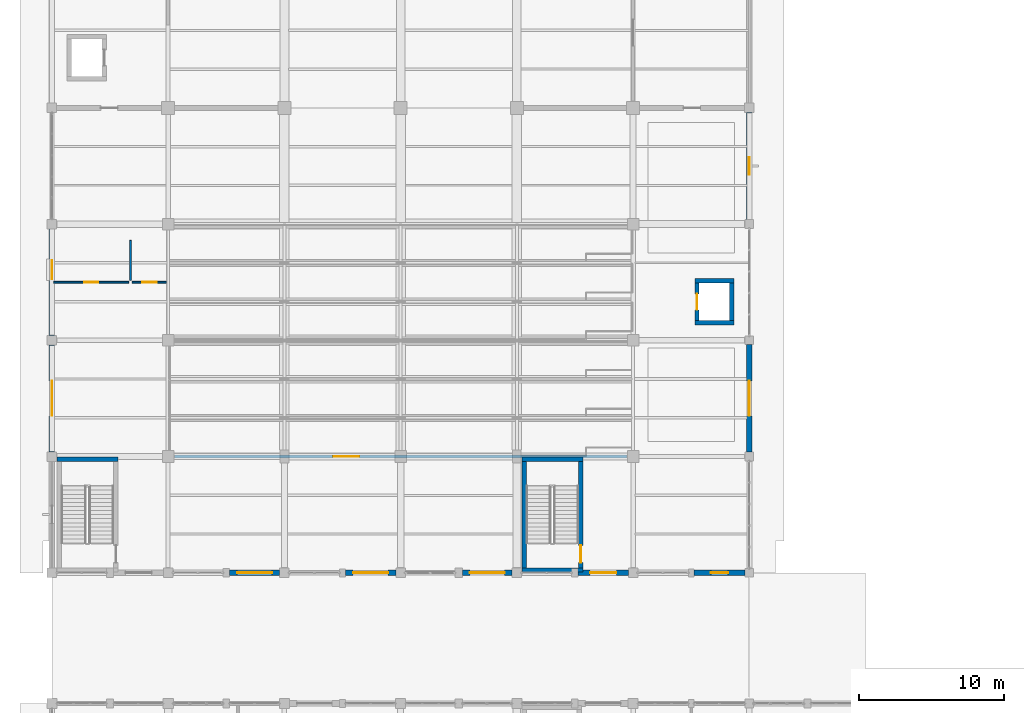
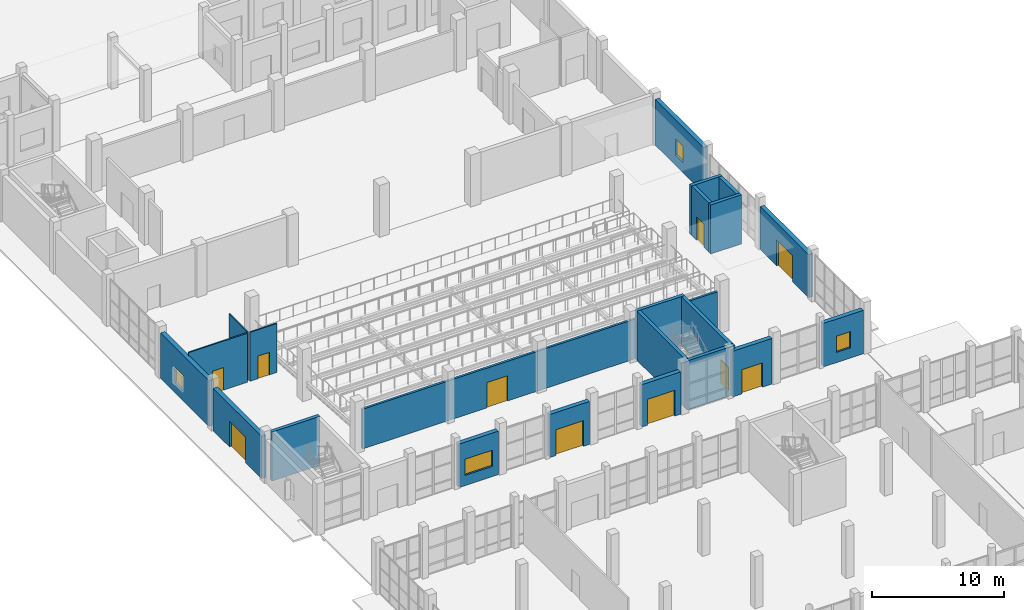
# One storey, part 121 of 156: 22 walls, 10 doors, 4 windows, 14 openings.
"""IFC4 building model written with IfcOpenShell, lengths in metres."""

from ifc_helpers import new_model, si_unit, direction, frame, frame_2d, origin, place, context, subcontext, project, spatial, rectangle, extrude, material, layer, layer_set, type_object, element, fill, save


model = new_model("IFC4")

# Units and contexts
model_context = context("Model", 3, precision=1e-05, world=origin(), true_north=direction((0.0, 1.0)))
body_context = subcontext(model_context, "Body", "Model", "MODEL_VIEW")
ifc_project = project(units=[si_unit("LENGTHUNIT", "METRE"), si_unit("AREAUNIT", "SQUARE_METRE"), si_unit("VOLUMEUNIT", "CUBIC_METRE"), si_unit("PLANEANGLEUNIT", "RADIAN"), si_unit("MASSUNIT", "GRAM", prefix="KILO")], contexts=[model_context])

# Site, building, storey
site_placement = place(None, origin())
site = spatial("IfcSite", under=ifc_project, at=site_placement, CompositionType="ELEMENT")
building_placement = place(site_placement, origin())
building = spatial("IfcBuilding", under=site, at=building_placement, Name="Luwemba Playhouse", CompositionType="ELEMENT")
storey_placement = place(building_placement, origin())
storey = spatial("IfcBuildingStorey", under=building, at=storey_placement, Name="L00", CompositionType="ELEMENT", Elevation=0.0)

# Wall, opening, door
ifc_material_1 = material(Name="Clay facing brick obra vista masonry", Category="masonry")
ifc_layer_1 = layer(ifc_material_1, 0.3798828125)
ifc_layer_set_1 = layer_set([ifc_layer_1], Name="Clay facing brick obra vista masonry")
wall_type_1 = type_object("IfcWallType", Name="WAL-BRK-380", PredefinedType="SOLIDWALL", material=ifc_layer_set_1)
wall_1_placement = place(storey_placement, frame((4.0, 44.324951171875, 0.0), z_axis=(0.0, 0.0, 1.0), x_axis=(0.0, 1.0, 0.0)))
wall_1 = element("IfcWall", 1, at=wall_1_placement, inside=storey, type_object=wall_type_1, Name="L00 V1 exterior facade wall 0004", PredefinedType="SOLIDWALL", context=body_context, shape_type="SweptSolid", body=[
    extrude(rectangle(XDim=7.35009765625, YDim=0.3798828125, at=frame_2d((3.675048828125, 0.0))), origin(), (0.0, 0.0, 1.0), 3.93505859375),
])
opening_1_placement = place(wall_1_placement, frame((2.47509765625, 0.0, 0.0)))
opening_1 = element("IfcOpeningElement", 2, at=opening_1_placement, cuts=wall_1, Name="Opening E28", PredefinedType="OPENING", context=body_context, shape_type="SweptSolid", body=[
    extrude(rectangle(XDim=2.39990234375, YDim=2.39990234375, at=frame_2d((1.199951171875, 1.199951171875))), frame((0.0, 0.199951171875, 0.0), z_axis=(0.0, -1.0, 0.0), x_axis=(1.0, 0.0, 0.0)), (0.0, 0.0, 1.0), 0.39990234375),
])
ifc_material_2 = material(Name="Architectural bronze-anodised aluminium and glazed leaf", Category="aluminium")
door_type_1 = type_object("IfcDoorType", Name="DR-EXIT-240", OperationType="NOTDEFINED", PredefinedType="DOOR", material=ifc_material_2)
door_1_placement = place(opening_1_placement, origin())
door_1 = element("IfcDoor", 3, at=door_1_placement, inside=storey, type_object=door_type_1, Name="Main Theatre west boulevard final exit E28", OperationType="DOUBLE_DOOR_SINGLE_SWING", OverallHeight=2.39990234375, OverallWidth=2.39990234375, PredefinedType="DOOR", context=body_context, shape_type="SweptSolid", body=[
    extrude(rectangle(XDim=2.39990234375, YDim=2.39990234375, at=frame_2d((1.199951171875, 1.199951171875))), frame((0.0, 0.02490234375, 0.0), z_axis=(0.0, -1.0, 0.0), x_axis=(1.0, 0.0, 0.0)), (0.0, 0.0, 1.0), 0.050048828125),
])
fill(opening_1, door_1)

# Wall, opening, window
wall_2_placement = place(storey_placement, frame((4.0, 52.324951171875, 0.0), z_axis=(0.0, 0.0, 1.0), x_axis=(0.0, 1.0, 0.0)))
wall_2 = element("IfcWall", 4, at=wall_2_placement, inside=storey, type_object=wall_type_1, Name="L00 V1 exterior facade wall 0005", PredefinedType="SOLIDWALL", context=body_context, shape_type="SweptSolid", body=[
    extrude(rectangle(XDim=7.35009765625, YDim=0.3798828125, at=frame_2d((3.675048828125, 0.0))), origin(), (0.0, 0.0, 1.0), 4.235107421875),
])
opening_2_placement = place(wall_2_placement, frame((3.885009765625, 0.0, 0.949951171875)))
opening_2 = element("IfcOpeningElement", 5, at=opening_2_placement, cuts=wall_2, Name="Opening WN-14", PredefinedType="OPENING", context=body_context, shape_type="SweptSolid", body=[
    extrude(rectangle(XDim=1.300048828125, YDim=1.39990234375, at=frame_2d((0.64990234375, 0.699951171875))), frame((0.0, 0.199951171875, 0.0), z_axis=(0.0, -1.0, 0.0), x_axis=(1.0, 0.0, 0.0)), (0.0, 0.0, 1.0), 0.39990234375),
])
ifc_material_3 = material(Name="Solar-control double glazing in aluminium frame", Category="aluminium")
window_type_1 = type_object("IfcWindowType", Name="WIN-WN-14", PartitioningType="SINGLE_PANEL", PredefinedType="WINDOW", material=ifc_material_3)
window_1_placement = place(opening_2_placement, origin())
window_1 = element("IfcWindow", 6, at=window_1_placement, inside=storey, type_object=window_type_1, Name="L00 V1 scheduled window 0002", OverallHeight=1.39990234375, OverallWidth=1.300048828125, PartitioningType="SINGLE_PANEL", PredefinedType="WINDOW", context=body_context, shape_type="SweptSolid", body=[
    extrude(rectangle(XDim=1.300048828125, YDim=1.39990234375, at=frame_2d((0.64990234375, 0.699951171875))), frame((0.0, 0.030029296875, 0.0), z_axis=(0.0, -1.0, 0.0), x_axis=(1.0, 0.0, 0.0)), (0.0, 0.0, 1.0), 0.06005859375),
])
fill(opening_2, window_1)

wall_3_placement = place(storey_placement, frame((52.0, 67.675048828125, 0.0), z_axis=(0.0, 0.0, 1.0), x_axis=(0.0, -1.0, 0.0)))
wall_3 = element("IfcWall", 7, at=wall_3_placement, inside=storey, type_object=wall_type_1, Name="L00 V1 exterior facade wall 0006", PredefinedType="SOLIDWALL", context=body_context, shape_type="SweptSolid", body=[
    extrude(rectangle(XDim=7.375, YDim=0.3798828125, at=frame_2d((3.6875, 0.0))), origin(), (0.0, 0.0, 1.0), 4.235107421875),
])
opening_3_placement = place(wall_3_placement, frame((3.08740234375, 0.0, 0.949951171875)))
opening_3 = element("IfcOpeningElement", 8, at=opening_3_placement, cuts=wall_3, Name="Opening WN-08", PredefinedType="OPENING", context=body_context, shape_type="SweptSolid", body=[
    extrude(rectangle(XDim=1.199951171875, YDim=1.5, at=frame_2d((0.60009765625, 0.75))), frame((0.0, 0.199951171875, 0.0), z_axis=(0.0, -1.0, 0.0), x_axis=(1.0, 0.0, 0.0)), (0.0, 0.0, 1.0), 0.39990234375),
])
window_type_2 = type_object("IfcWindowType", Name="WIN-WN-08", PartitioningType="SINGLE_PANEL", PredefinedType="WINDOW", material=ifc_material_3)
window_2_placement = place(opening_3_placement, origin())
window_2 = element("IfcWindow", 9, at=window_2_placement, inside=storey, type_object=window_type_2, Name="L00 V1 scheduled window 0003", OverallHeight=1.5, OverallWidth=1.199951171875, PartitioningType="SINGLE_PANEL", PredefinedType="WINDOW", context=body_context, shape_type="SweptSolid", body=[
    extrude(rectangle(XDim=1.199951171875, YDim=1.5, at=frame_2d((0.60009765625, 0.75))), frame((0.0, 0.030029296875, 0.0), z_axis=(0.0, -1.0, 0.0), x_axis=(1.0, 0.0, 0.0)), (0.0, 0.0, 1.0), 0.06005859375),
])
fill(opening_3, window_2)

# Wall, opening, door
wall_4_placement = place(storey_placement, frame((52.0, 51.699951171875, 0.0), z_axis=(0.0, 0.0, 1.0), x_axis=(0.0, -1.0, 0.0)))
wall_4 = element("IfcWall", 10, at=wall_4_placement, inside=storey, type_object=wall_type_1, Name="L00 V1 exterior facade wall 0007", PredefinedType="SOLIDWALL", context=body_context, shape_type="SweptSolid", body=[
    extrude(rectangle(XDim=7.39990234375, YDim=0.3798828125, at=frame_2d((3.699951171875, 0.0))), origin(), (0.0, 0.0, 1.0), 3.985107421875),
])
opening_4_placement = place(wall_4_placement, frame((2.5, 0.0, 0.0)))
opening_4 = element("IfcOpeningElement", 11, at=opening_4_placement, cuts=wall_4, Name="Opening E07", PredefinedType="OPENING", context=body_context, shape_type="SweptSolid", body=[
    extrude(rectangle(XDim=2.39990234375, YDim=2.39990234375, at=frame_2d((1.199951171875, 1.199951171875))), frame((0.0, 0.199951171875, 0.0), z_axis=(0.0, -1.0, 0.0), x_axis=(1.0, 0.0, 0.0)), (0.0, 0.0, 1.0), 0.39990234375),
])
door_2_placement = place(opening_4_placement, origin())
door_2 = element("IfcDoor", 12, at=door_2_placement, inside=storey, type_object=door_type_1, Name="Main Theatre cloister final exit E07", OperationType="DOUBLE_DOOR_SINGLE_SWING", OverallHeight=2.39990234375, OverallWidth=2.39990234375, PredefinedType="DOOR", context=body_context, shape_type="SweptSolid", body=[
    extrude(rectangle(XDim=2.39990234375, YDim=2.39990234375, at=frame_2d((1.199951171875, 1.199951171875))), frame((0.0, 0.02490234375, 0.0), z_axis=(0.0, -1.0, 0.0), x_axis=(1.0, 0.0, 0.0)), (0.0, 0.0, 1.0), 0.050048828125),
])
fill(opening_4, door_2)

# Wall, opening, window
wall_5_placement = place(storey_placement, frame((51.699951171875, 36.0, 0.0), z_axis=(0.0, 0.0, 1.0), x_axis=(-1.0, 0.0, 0.0)))
wall_5 = element("IfcWall", 13, at=wall_5_placement, inside=storey, type_object=wall_type_1, Name="L00 V1 exterior facade wall 0008", PredefinedType="SOLIDWALL", context=body_context, shape_type="SweptSolid", body=[
    extrude(rectangle(XDim=3.5, YDim=0.3798828125, at=frame_2d((1.75, 0.0))), origin(), (0.0, 0.0, 1.0), 4.034912109375),
])
opening_5_placement = place(wall_5_placement, frame((1.14990234375, 0.0, 0.949951171875)))
opening_5 = element("IfcOpeningElement", 14, at=opening_5_placement, cuts=wall_5, Name="Opening WN-08", PredefinedType="OPENING", context=body_context, shape_type="SweptSolid", body=[
    extrude(rectangle(XDim=1.199951171875, YDim=1.5, at=frame_2d((0.60009765625, 0.75))), frame((0.0, 0.199951171875, 0.0), z_axis=(0.0, -1.0, 0.0), x_axis=(1.0, 0.0, 0.0)), (0.0, 0.0, 1.0), 0.39990234375),
])
window_3_placement = place(opening_5_placement, origin())
window_3 = element("IfcWindow", 15, at=window_3_placement, inside=storey, type_object=window_type_2, Name="L00 V1 scheduled window 0004", OverallHeight=1.5, OverallWidth=1.199951171875, PartitioningType="SINGLE_PANEL", PredefinedType="WINDOW", context=body_context, shape_type="SweptSolid", body=[
    extrude(rectangle(XDim=1.199951171875, YDim=1.5, at=frame_2d((0.60009765625, 0.75))), frame((0.0, 0.030029296875, 0.0), z_axis=(0.0, -1.0, 0.0), x_axis=(1.0, 0.0, 0.0)), (0.0, 0.0, 1.0), 0.06005859375),
])
fill(opening_5, window_3)

# Wall, opening, door
wall_6_placement = place(storey_placement, frame((43.675048828125, 36.0, 0.0), z_axis=(0.0, 0.0, 1.0), x_axis=(-1.0, 0.0, 0.0)))
wall_6 = element("IfcWall", 16, at=wall_6_placement, inside=storey, type_object=wall_type_1, Name="L00 V1 exterior facade wall 0009", PredefinedType="SOLIDWALL", context=body_context, shape_type="SweptSolid", body=[
    extrude(rectangle(XDim=3.449951171875, YDim=0.3798828125, at=frame_2d((1.72509765625, 0.0))), origin(), (0.0, 0.0, 1.0), 4.235107421875),
])
opening_6_placement = place(wall_6_placement, frame((0.824951171875, 0.0, 0.0)))
opening_6 = element("IfcOpeningElement", 17, at=opening_6_placement, cuts=wall_6, Name="Opening E16", PredefinedType="OPENING", context=body_context, shape_type="SweptSolid", body=[
    extrude(rectangle(XDim=1.800048828125, YDim=2.25, at=frame_2d((0.89990234375, 1.125))), frame((0.0, 0.199951171875, 0.0), z_axis=(0.0, -1.0, 0.0), x_axis=(1.0, 0.0, 0.0)), (0.0, 0.0, 1.0), 0.39990234375),
])
door_type_2 = type_object("IfcDoorType", Name="DR-EXIT-180", OperationType="NOTDEFINED", PredefinedType="DOOR", material=ifc_material_2)
door_3_placement = place(opening_6_placement, origin())
door_3 = element("IfcDoor", 18, at=door_3_placement, inside=storey, type_object=door_type_2, Name="Stair ST-02 final exit discharge door", OperationType="DOUBLE_DOOR_SINGLE_SWING", OverallHeight=2.25, OverallWidth=1.800048828125, PredefinedType="DOOR", context=body_context, shape_type="SweptSolid", body=[
    extrude(rectangle(XDim=1.800048828125, YDim=2.25, at=frame_2d((0.89990234375, 1.125))), frame((0.0, 0.02490234375, 0.0), z_axis=(0.0, -1.0, 0.0), x_axis=(1.0, 0.0, 0.0)), (0.0, 0.0, 1.0), 0.050048828125),
])
fill(opening_6, door_3)

wall_7_placement = place(storey_placement, frame((35.675048828125, 36.0, 0.0), z_axis=(0.0, 0.0, 1.0), x_axis=(-1.0, 0.0, 0.0)))
wall_7 = element("IfcWall", 19, at=wall_7_placement, inside=storey, type_object=wall_type_1, Name="L00 V1 exterior facade wall 0010", PredefinedType="SOLIDWALL", context=body_context, shape_type="SweptSolid", body=[
    extrude(rectangle(XDim=3.425048828125, YDim=0.3798828125, at=frame_2d((1.71240234375, 0.0))), origin(), (0.0, 0.0, 1.0), 3.93505859375),
])
opening_7_placement = place(wall_7_placement, frame((0.512451171875, 0.0, 0.0)))
opening_7 = element("IfcOpeningElement", 20, at=opening_7_placement, cuts=wall_7, Name="Opening E06", PredefinedType="OPENING", context=body_context, shape_type="SweptSolid", body=[
    extrude(rectangle(XDim=2.39990234375, YDim=2.39990234375, at=frame_2d((1.199951171875, 1.199951171875))), frame((0.0, 0.199951171875, 0.0), z_axis=(0.0, -1.0, 0.0), x_axis=(1.0, 0.0, 0.0)), (0.0, 0.0, 1.0), 0.39990234375),
])
door_4_placement = place(opening_7_placement, origin())
door_4 = element("IfcDoor", 21, at=door_4_placement, inside=storey, type_object=door_type_1, Name="Main Theatre stalls south final exit E06", OperationType="DOUBLE_DOOR_SINGLE_SWING", OverallHeight=2.39990234375, OverallWidth=2.39990234375, PredefinedType="DOOR", context=body_context, shape_type="SweptSolid", body=[
    extrude(rectangle(XDim=2.39990234375, YDim=2.39990234375, at=frame_2d((1.199951171875, 1.199951171875))), frame((0.0, 0.02490234375, 0.0), z_axis=(0.0, -1.0, 0.0), x_axis=(1.0, 0.0, 0.0)), (0.0, 0.0, 1.0), 0.050048828125),
])
fill(opening_7, door_4)

wall_8_placement = place(storey_placement, frame((27.675048828125, 36.0, 0.0), z_axis=(0.0, 0.0, 1.0), x_axis=(-1.0, 0.0, 0.0)))
wall_8 = element("IfcWall", 22, at=wall_8_placement, inside=storey, type_object=wall_type_1, Name="L00 V1 exterior facade wall 0011", PredefinedType="SOLIDWALL", context=body_context, shape_type="SweptSolid", body=[
    extrude(rectangle(XDim=3.47509765625, YDim=0.3798828125, at=frame_2d((1.737548828125, 0.0))), origin(), (0.0, 0.0, 1.0), 3.985107421875),
])
opening_8_placement = place(wall_8_placement, frame((0.53759765625, 0.0, 0.0)))
opening_8 = element("IfcOpeningElement", 23, at=opening_8_placement, cuts=wall_8, Name="Opening E05", PredefinedType="OPENING", context=body_context, shape_type="SweptSolid", body=[
    extrude(rectangle(XDim=2.39990234375, YDim=2.39990234375, at=frame_2d((1.199951171875, 1.199951171875))), frame((0.0, 0.199951171875, 0.0), z_axis=(0.0, -1.0, 0.0), x_axis=(1.0, 0.0, 0.0)), (0.0, 0.0, 1.0), 0.39990234375),
])
door_5_placement = place(opening_8_placement, origin())
door_5 = element("IfcDoor", 24, at=door_5_placement, inside=storey, type_object=door_type_1, Name="Main Theatre stalls south final exit E05", OperationType="DOUBLE_DOOR_SINGLE_SWING", OverallHeight=2.39990234375, OverallWidth=2.39990234375, PredefinedType="DOOR", context=body_context, shape_type="SweptSolid", body=[
    extrude(rectangle(XDim=2.39990234375, YDim=2.39990234375, at=frame_2d((1.199951171875, 1.199951171875))), frame((0.0, 0.02490234375, 0.0), z_axis=(0.0, -1.0, 0.0), x_axis=(1.0, 0.0, 0.0)), (0.0, 0.0, 1.0), 0.050048828125),
])
fill(opening_8, door_5)

# Wall, opening, window
wall_9_placement = place(storey_placement, frame((19.675048828125, 36.0, 0.0), z_axis=(0.0, 0.0, 1.0), x_axis=(-1.0, 0.0, 0.0)))
wall_9 = element("IfcWall", 25, at=wall_9_placement, inside=storey, type_object=wall_type_1, Name="L00 V1 exterior facade wall 0012", PredefinedType="SOLIDWALL", context=body_context, shape_type="SweptSolid", body=[
    extrude(rectangle(XDim=3.449951171875, YDim=0.3798828125, at=frame_2d((1.72509765625, 0.0))), origin(), (0.0, 0.0, 1.0), 4.034912109375),
])
opening_9_placement = place(wall_9_placement, frame((0.52490234375, 0.0, 0.949951171875)))
opening_9 = element("IfcOpeningElement", 26, at=opening_9_placement, cuts=wall_9, Name="Opening WN-12", PredefinedType="OPENING", context=body_context, shape_type="SweptSolid", body=[
    extrude(rectangle(XDim=2.39990234375, YDim=1.5, at=frame_2d((1.199951171875, 0.75))), frame((0.0, 0.199951171875, 0.0), z_axis=(0.0, -1.0, 0.0), x_axis=(1.0, 0.0, 0.0)), (0.0, 0.0, 1.0), 0.39990234375),
])
window_type_3 = type_object("IfcWindowType", Name="WIN-WN-12", PartitioningType="TRIPLE_PANEL_VERTICAL", PredefinedType="WINDOW", material=ifc_material_3)
window_4_placement = place(opening_9_placement, origin())
window_4 = element("IfcWindow", 27, at=window_4_placement, inside=storey, type_object=window_type_3, Name="L00 V1 scheduled window 0005", OverallHeight=1.5, OverallWidth=2.39990234375, PartitioningType="TRIPLE_PANEL_VERTICAL", PredefinedType="WINDOW", context=body_context, shape_type="SweptSolid", body=[
    extrude(rectangle(XDim=2.39990234375, YDim=1.5, at=frame_2d((1.199951171875, 0.75))), frame((0.0, 0.030029296875, 0.0), z_axis=(0.0, -1.0, 0.0), x_axis=(1.0, 0.0, 0.0)), (0.0, 0.0, 1.0), 0.06005859375),
])
fill(opening_9, window_4)

# Walls
ifc_material_4 = material(Name="Concrete C40/50", Category="concrete")
ifc_layer_2 = layer(ifc_material_4, 0.300048828125)
ifc_layer_set_2 = layer_set([ifc_layer_2], Name="Concrete C40/50")
wall_type_2 = type_object("IfcWallType", Name="WAL-CORE-300", PredefinedType="SHEAR", material=ifc_layer_set_2)
for number, where, z_axis, x_axis, name in (
    (28, (8.550048828125, 43.81005859375, 0.0), (0.0, 0.0, 1.0), (-1.0, 0.0, 0.0), "L00 ST-01 stair core wall N"),
    (29, (36.35009765625, 36.18994140625, 0.0), (0.0, 0.0, 1.0), (1.0, 0.0, 0.0), "L00 ST-02 stair core wall S"),
    (30, (40.550048828125, 43.81005859375, 0.0), (0.0, 0.0, 1.0), (-1.0, 0.0, 0.0), "L00 ST-02 stair core wall N"),
):
    element("IfcWall", number, at=place(storey_placement, frame(where, z_axis=z_axis, x_axis=x_axis)), inside=storey, type_object=wall_type_2, Name=name, PredefinedType="SHEAR", context=body_context, shape_type="SweptSolid", body=[
        extrude(rectangle(XDim=4.199951171875, YDim=0.300048828125, at=frame_2d((2.10009765625, 0.0))), origin(), (0.0, 0.0, 1.0), 4.550048828125),
    ])
wall_10_placement = place(storey_placement, frame((36.5, 36.340087890625, 0.0), z_axis=(0.0, 0.0, 1.0), x_axis=(0.0, 1.0, 0.0)))
element("IfcWall", 31, at=wall_10_placement, inside=storey, type_object=wall_type_2, Name="L00 ST-02 stair core wall W", PredefinedType="SHEAR", context=body_context, shape_type="SweptSolid", body=[
    extrude(rectangle(XDim=7.31982421875, YDim=0.300048828125, at=frame_2d((3.659912109375, 0.0))), origin(), (0.0, 0.0, 1.0), 4.550048828125),
])

# Wall, opening, door
wall_11_placement = place(storey_placement, frame((40.39990234375, 43.659912109375, 0.0), z_axis=(0.0, 0.0, 1.0), x_axis=(0.0, -1.0, 0.0)))
wall_11 = element("IfcWall", 32, at=wall_11_placement, inside=storey, type_object=wall_type_2, Name="L00 ST-02 stair core wall E", PredefinedType="SHEAR", context=body_context, shape_type="SweptSolid", body=[
    extrude(rectangle(XDim=7.31982421875, YDim=0.300048828125, at=frame_2d((3.659912109375, 0.0))), origin(), (0.0, 0.0, 1.0), 4.550048828125),
])
opening_10_placement = place(wall_11_placement, frame((5.77001953125, 0.0, 0.0)))
opening_10 = element("IfcOpeningElement", 33, at=opening_10_placement, cuts=wall_11, Name="Opening D-STAIR3", PredefinedType="OPENING", context=body_context, shape_type="SweptSolid", body=[
    extrude(rectangle(XDim=1.199951171875, YDim=2.14990234375, at=frame_2d((0.60009765625, 1.074951171875))), frame((0.0, 0.159912109375, 0.0), z_axis=(0.0, -1.0, 0.0), x_axis=(1.0, 0.0, 0.0)), (0.0, 0.0, 1.0), 0.320068359375),
])
ifc_material_5 = material(Name="Hardwood acoustic fire door leaf", Category="wood")
door_type_3 = type_object("IfcDoorType", Name="DR-STAIR-120", OperationType="NOTDEFINED", PredefinedType="DOOR", material=ifc_material_5)
door_6_placement = place(opening_10_placement, origin())
door_6 = element("IfcDoor", 34, at=door_6_placement, inside=storey, type_object=door_type_3, Name="L00 ST-02 protected stair entry door", OperationType="SINGLE_SWING_LEFT", OverallHeight=2.14990234375, OverallWidth=1.199951171875, PredefinedType="DOOR", context=body_context, shape_type="SweptSolid", body=[
    extrude(rectangle(XDim=1.199951171875, YDim=2.14990234375, at=frame_2d((0.60009765625, 1.074951171875))), frame((0.0, 0.02490234375, 0.0), z_axis=(0.0, -1.0, 0.0), x_axis=(1.0, 0.0, 0.0)), (0.0, 0.0, 1.0), 0.050048828125),
])
fill(opening_10, door_6)

# Walls
for number, where, z_axis, x_axis, name in (
    (35, (48.25, 53.199951171875, 0.0), (0.0, 0.0, 1.0), (1.0, 0.0, 0.0), "L00 Lift LF-P1 shaft wall S"),
    (36, (50.949951171875, 56.10009765625, 0.0), (0.0, 0.0, 1.0), (-1.0, 0.0, 0.0), "L00 Lift LF-P1 shaft wall N"),
):
    element("IfcWall", number, at=place(storey_placement, frame(where, z_axis=z_axis, x_axis=x_axis)), inside=storey, type_object=wall_type_2, Name=name, PredefinedType="SHEAR", context=body_context, shape_type="SweptSolid", body=[
        extrude(rectangle(XDim=2.699951171875, YDim=0.300048828125, at=frame_2d((1.35009765625, 0.0))), origin(), (0.0, 0.0, 1.0), 4.550048828125),
    ])

# Wall, opening, door
wall_12_placement = place(storey_placement, frame((48.39990234375, 53.35009765625, 0.0), z_axis=(0.0, 0.0, 1.0), x_axis=(0.0, 1.0, 0.0)))
wall_12 = element("IfcWall", 37, at=wall_12_placement, inside=storey, type_object=wall_type_2, Name="L00 Lift LF-P1 shaft wall W", PredefinedType="SHEAR", context=body_context, shape_type="SweptSolid", body=[
    extrude(rectangle(XDim=2.599853515625, YDim=0.300048828125, at=frame_2d((1.2998046875, 0.0))), origin(), (0.0, 0.0, 1.0), 4.550048828125),
])
opening_11_placement = place(wall_12_placement, frame((0.75, 0.0, 0.0)))
opening_11 = element("IfcOpeningElement", 38, at=opening_11_placement, cuts=wall_12, Name="Opening LD-01", PredefinedType="OPENING", context=body_context, shape_type="SweptSolid", body=[
    extrude(rectangle(XDim=1.10009765625, YDim=2.14990234375, at=frame_2d((0.550048828125, 1.074951171875))), frame((0.0, 0.159912109375, 0.0), z_axis=(0.0, -1.0, 0.0), x_axis=(1.0, 0.0, 0.0)), (0.0, 0.0, 1.0), 0.320068359375),
])
ifc_material_6 = material(Name="Stainless steel lift landing doors", Category="steel")
door_type_4 = type_object("IfcDoorType", Name="DR-LIFT-110", OperationType="NOTDEFINED", PredefinedType="DOOR", material=ifc_material_6)
door_7_placement = place(opening_11_placement, origin())
door_7 = element("IfcDoor", 39, at=door_7_placement, inside=storey, type_object=door_type_4, Name="L00 Lift LF-P1 landing door", OperationType="DOUBLE_DOOR_SLIDING", OverallHeight=2.14990234375, OverallWidth=1.10009765625, PredefinedType="DOOR", context=body_context, shape_type="SweptSolid", body=[
    extrude(rectangle(XDim=1.10009765625, YDim=2.14990234375, at=frame_2d((0.550048828125, 1.074951171875))), frame((0.0, 0.02490234375, 0.0), z_axis=(0.0, -1.0, 0.0), x_axis=(1.0, 0.0, 0.0)), (0.0, 0.0, 1.0), 0.050048828125),
])
fill(opening_11, door_7)

# Wall
wall_13_placement = place(storey_placement, frame((50.800048828125, 55.949951171875, 0.0), z_axis=(0.0, 0.0, 1.0), x_axis=(0.0, -1.0, 0.0)))
element("IfcWall", 40, at=wall_13_placement, inside=storey, type_object=wall_type_2, Name="L00 Lift LF-P1 shaft wall E", PredefinedType="SHEAR", context=body_context, shape_type="SweptSolid", body=[
    extrude(rectangle(XDim=2.599853515625, YDim=0.300048828125, at=frame_2d((1.2998046875, 0.0))), origin(), (0.0, 0.0, 1.0), 4.550048828125),
])

# Wall, opening, door
ifc_material_7 = material(Name="Moisture-resistant sanitary partition", Category="gypsum")
ifc_layer_3 = layer(ifc_material_7, 0.1201171875)
ifc_layer_set_3 = layer_set([ifc_layer_3], Name="Moisture-resistant sanitary partition")
wall_type_3 = type_object("IfcWallType", Name="WAL-INT-120", PredefinedType="PARTITIONING", material=ifc_layer_set_3)
wall_14_placement = place(storey_placement, frame((4.1201171875, 56.0, 0.0), z_axis=(0.0, 0.0, 1.0), x_axis=(1.0, 0.0, 0.0)))
wall_14 = element("IfcWall", 41, at=wall_14_placement, inside=storey, type_object=wall_type_3, Name="L00 V1 interior partition 0064", PredefinedType="PARTITIONING", context=body_context, shape_type="SweptSolid", body=[
    extrude(rectangle(XDim=5.159912109375, YDim=0.1201171875, at=frame_2d((2.580078125, 0.0))), origin(), (0.0, 0.0, 1.0), 4.550048828125),
])
opening_12_placement = place(wall_14_placement, frame((2.10498046875, 0.0, 0.0)))
opening_12 = element("IfcOpeningElement", 42, at=opening_12_placement, cuts=wall_14, Name="Opening D-WC1", PredefinedType="OPENING", context=body_context, shape_type="SweptSolid", body=[
    extrude(rectangle(XDim=0.949951171875, YDim=2.10009765625, at=frame_2d((0.47509765625, 1.050048828125))), frame((0.0, 0.070068359375, 0.0), z_axis=(0.0, -1.0, 0.0), x_axis=(1.0, 0.0, 0.0)), (0.0, 0.0, 1.0), 0.14013671875),
])
ifc_material_8 = material(Name="Moisture-resistant laminate door", Category="wood")
door_type_5 = type_object("IfcDoorType", Name="DR-WC-095", OperationType="NOTDEFINED", PredefinedType="DOOR", material=ifc_material_8)
door_8_placement = place(opening_12_placement, origin())
door_8 = element("IfcDoor", 43, at=door_8_placement, inside=storey, type_object=door_type_5, Name="L00 Stalls West Vomitory Corridor to Stalls Interval Public Toilets door", OperationType="SINGLE_SWING_RIGHT", OverallHeight=2.10009765625, OverallWidth=0.949951171875, PredefinedType="DOOR", context=body_context, shape_type="SweptSolid", body=[
    extrude(rectangle(XDim=0.949951171875, YDim=2.10009765625, at=frame_2d((0.47509765625, 1.050048828125))), frame((0.0, 0.02490234375, 0.0), z_axis=(0.0, -1.0, 0.0), x_axis=(1.0, 0.0, 0.0)), (0.0, 0.0, 1.0), 0.050048828125),
])
fill(opening_12, door_8)

wall_15_placement = place(storey_placement, frame((9.52001953125, 56.0, 0.0), z_axis=(0.0, 0.0, 1.0), x_axis=(1.0, 0.0, 0.0)))
wall_15 = element("IfcWall", 44, at=wall_15_placement, inside=storey, type_object=wall_type_3, Name="L00 V1 interior partition 0065", PredefinedType="PARTITIONING", context=body_context, shape_type="SweptSolid", body=[
    extrude(rectangle(XDim=2.35986328125, YDim=0.1201171875, at=frame_2d((1.179931640625, 0.0))), origin(), (0.0, 0.0, 1.0), 4.550048828125),
])
opening_13_placement = place(wall_15_placement, frame((0.679931640625, 0.0, 0.0)))
opening_13 = element("IfcOpeningElement", 45, at=opening_13_placement, cuts=wall_15, Name="Opening D-AWC", PredefinedType="OPENING", context=body_context, shape_type="SweptSolid", body=[
    extrude(rectangle(XDim=1.0, YDim=2.10009765625, at=frame_2d((0.5, 1.050048828125))), frame((0.0, 0.070068359375, 0.0), z_axis=(0.0, -1.0, 0.0), x_axis=(1.0, 0.0, 0.0)), (0.0, 0.0, 1.0), 0.14013671875),
])
ifc_material_9 = material(Name="Accessible WC outward-assisted timber door", Category="wood")
door_type_6 = type_object("IfcDoorType", Name="DR-AWC-100", OperationType="NOTDEFINED", PredefinedType="DOOR", material=ifc_material_9)
door_9_placement = place(opening_13_placement, origin())
door_9 = element("IfcDoor", 46, at=door_9_placement, inside=storey, type_object=door_type_6, Name="L00 Stalls West Vomitory Corridor to Stalls Accessible WC door", OperationType="SINGLE_SWING_LEFT", OverallHeight=2.10009765625, OverallWidth=1.0, PredefinedType="DOOR", context=body_context, shape_type="SweptSolid", body=[
    extrude(rectangle(XDim=1.0, YDim=2.10009765625, at=frame_2d((0.5, 1.050048828125))), frame((0.0, 0.02490234375, 0.0), z_axis=(0.0, -1.0, 0.0), x_axis=(1.0, 0.0, 0.0)), (0.0, 0.0, 1.0), 0.050048828125),
])
fill(opening_13, door_9)

# Wall
wall_16_placement = place(storey_placement, frame((9.39990234375, 56.1201171875, 0.0), z_axis=(0.0, 0.0, 1.0), x_axis=(0.0, 1.0, 0.0)))
element("IfcWall", 47, at=wall_16_placement, inside=storey, type_object=wall_type_3, Name="L00 V1 interior partition 0066", PredefinedType="PARTITIONING", context=body_context, shape_type="SweptSolid", body=[
    extrude(rectangle(XDim=2.759765625, YDim=0.1201171875, at=frame_2d((1.3798828125, 0.0))), origin(), (0.0, 0.0, 1.0), 4.550048828125),
])

# Wall, opening, door
ifc_material_10 = material(Name="Clay acoustic masonry blockwork", Category="masonry")
ifc_layer_4 = layer(ifc_material_10, 0.199951171875)
ifc_layer_set_4 = layer_set([ifc_layer_4], Name="Clay acoustic masonry blockwork")
wall_type_4 = type_object("IfcWallType", Name="WAL-INT-200", PredefinedType="PARTITIONING", material=ifc_layer_set_4)
wall_17_placement = place(storey_placement, frame((12.419921875, 44.0, 0.0), z_axis=(0.0, 0.0, 1.0), x_axis=(1.0, 0.0, 0.0)))
wall_17 = element("IfcWall", 48, at=wall_17_placement, inside=storey, type_object=wall_type_4, Name="L00 V1 interior partition 0063", PredefinedType="PARTITIONING", context=body_context, shape_type="SweptSolid", body=[
    extrude(rectangle(XDim=31.16015625, YDim=0.199951171875, at=frame_2d((15.580078125, 0.0))), origin(), (0.0, 0.0, 1.0), 3.68505859375),
])
opening_14_placement = place(wall_17_placement, frame((10.94091796875, 0.0, 0.0)))
opening_14 = element("IfcOpeningElement", 49, at=opening_14_placement, cuts=wall_17, Name="Opening D-AUD1", PredefinedType="OPENING", context=body_context, shape_type="SweptSolid", body=[
    extrude(rectangle(XDim=1.800048828125, YDim=2.35009765625, at=frame_2d((0.89990234375, 1.175048828125))), frame((0.0, 0.10986328125, 0.0), z_axis=(0.0, -1.0, 0.0), x_axis=(1.0, 0.0, 0.0)), (0.0, 0.0, 1.0), 0.219970703125),
])
ifc_material_11 = material(Name="Double acoustic timber theatre door", Category="wood")
door_type_7 = type_object("IfcDoorType", Name="DR-AUD-180", OperationType="NOTDEFINED", PredefinedType="DOOR", material=ifc_material_11)
door_10_placement = place(opening_14_placement, origin())
door_10 = element("IfcDoor", 50, at=door_10_placement, inside=storey, type_object=door_type_7, Name="L00 Main Proscenium Theatre Stalls to Stalls Promenade Foyer door", OperationType="DOUBLE_DOOR_SINGLE_SWING", OverallHeight=2.35009765625, OverallWidth=1.800048828125, PredefinedType="DOOR", context=body_context, shape_type="SweptSolid", body=[
    extrude(rectangle(XDim=1.800048828125, YDim=2.35009765625, at=frame_2d((0.89990234375, 1.175048828125))), frame((0.0, 0.02490234375, 0.0), z_axis=(0.0, -1.0, 0.0), x_axis=(1.0, 0.0, 0.0)), (0.0, 0.0, 1.0), 0.050048828125),
])
fill(opening_14, door_10)

save(model, "model.ifc")
